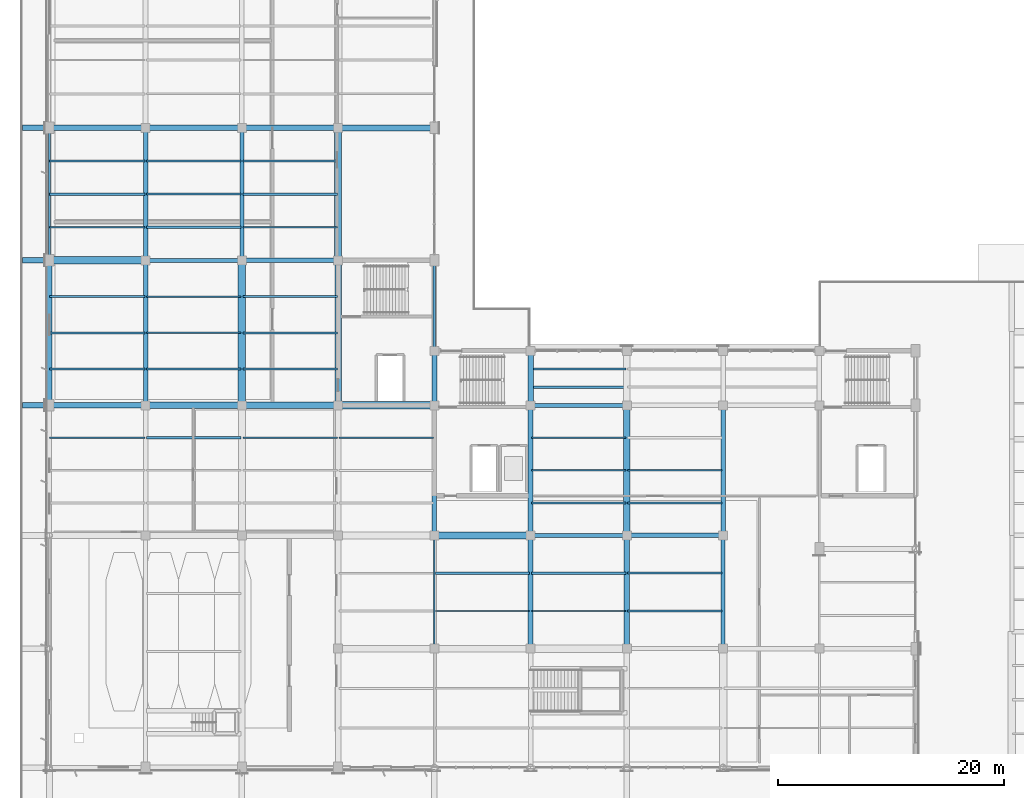
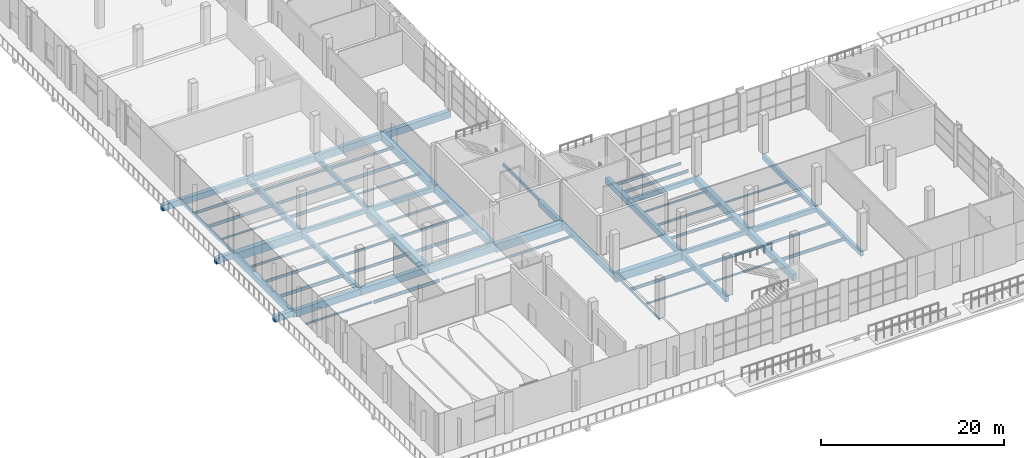
# One storey, part 11 of 90: 72 beams.
"""IFC4 building model written with IfcOpenShell, lengths in metres."""

import ifcopenshell
import ifcopenshell.guid

model = None  # the IFC model being written
_history = None  # IfcOwnerHistory: only IFC2X3 demands one
_inside = {}  # id of a spatial element -> (the spatial element, [elements in it])
_under = {}  # id of a project, library or spatial element -> (it, [spatial elements below it])
_declared = {}  # id of a project -> (the project, [libraries it declares])
_typed = {}  # id of a type object -> (the type object, [elements of that type])
_made_of = {}  # id of a material, layer set ... -> (it, [elements and type objects made of it])


def new_model(schema):
    """Start an empty IFC model of exactly this schema.

    Asked for "IFC4X3", IfcOpenShell would pick the latest addendum, in which some entities
    have other attributes; the version numbers below select the first issue.
    IFC2X3 requires an IfcOwnerHistory on every rooted entity: one is made here for all.
    """
    global model, _history
    if schema == "IFC4X3":
        model = ifcopenshell.file(schema_version=(4, 3, 0, 0))
    else:
        model = ifcopenshell.file(schema=schema)
    _inside.clear()
    _under.clear()
    _declared.clear()
    _typed.clear()
    _made_of.clear()
    _history = None
    if model.schema == "IFC2X3":
        org = make("IfcOrganization", Name="unknown")
        user = make(
            "IfcPersonAndOrganization",
            ThePerson=make("IfcPerson", FamilyName="unknown"),
            TheOrganization=org,
        )
        app = make(
            "IfcApplication",
            ApplicationDeveloper=org,
            Version="unknown",
            ApplicationFullName="unknown",
            ApplicationIdentifier="unknown",
        )
        _history = make(
            "IfcOwnerHistory",
            OwningUser=user,
            OwningApplication=app,
            ChangeAction="ADDED",
            CreationDate=0,
        )
    return model


def make(cls, **values):
    """One entity of the class cls with the attributes given. An attribute that is None is left unset."""
    return model.create_entity(
        cls, **{name: value for name, value in values.items() if value is not None}
    )


def rooted(cls, **values):
    """An entity with a GlobalId (a new one), such as an element, a storey or a relation."""
    return make(cls, GlobalId=ifcopenshell.guid.new(), OwnerHistory=_history, **values)


def si_unit(unit_type, name, prefix=None):
    """IfcSIUnit, for example si_unit("LENGTHUNIT", "METRE", prefix="MILLI")."""
    return make("IfcSIUnit", UnitType=unit_type, Prefix=prefix, Name=name)


def assignment(units):
    """IfcUnitAssignment: the units of a project."""
    return None if units is None else make("IfcUnitAssignment", Units=units)


def point(xyz):
    """IfcCartesianPoint."""
    return None if xyz is None else make("IfcCartesianPoint", Coordinates=xyz)


def direction(xyz):
    """IfcDirection."""
    return None if xyz is None else make("IfcDirection", DirectionRatios=xyz)


def frame(location, z_axis=None, x_axis=None):
    """IfcAxis2Placement3D, a coordinate frame: its origin and axes. An axis left out is left unset."""
    return make(
        "IfcAxis2Placement3D",
        Location=point(location),
        Axis=direction(z_axis),
        RefDirection=direction(x_axis),
    )


def frame_2d(location, x_axis=None):
    """IfcAxis2Placement2D, a coordinate frame in the plane: its origin and x axis."""
    return make(
        "IfcAxis2Placement2D", Location=point(location), RefDirection=direction(x_axis)
    )


def origin():
    """The frame at (0, 0, 0) with its axes left unset."""
    return frame((0.0, 0.0, 0.0))


def origin_2d():
    """The frame at (0, 0) in the plane with its x axis left unset."""
    return frame_2d((0.0, 0.0))


def place(relative_to, where):
    """IfcLocalPlacement: puts the frame where relative to a parent placement (None: the world)."""
    return make(
        "IfcLocalPlacement", PlacementRelTo=relative_to, RelativePlacement=where
    )


def context(
    kind, dimensions, precision=None, world=None, true_north=None, identifier=None
):
    """IfcGeometricRepresentationContext, for example the 3D "Model" context."""
    return make(
        "IfcGeometricRepresentationContext",
        ContextIdentifier=identifier,
        ContextType=kind,
        CoordinateSpaceDimension=dimensions,
        Precision=precision,
        WorldCoordinateSystem=world,
        TrueNorth=true_north,
    )


def subcontext(parent, identifier, kind, view, scale=None):
    """IfcGeometricRepresentationSubContext, for example "Body" below "Model"."""
    return make(
        "IfcGeometricRepresentationSubContext",
        ContextIdentifier=identifier,
        ContextType=kind,
        ParentContext=parent,
        TargetScale=scale,
        TargetView=view,
    )


def project(units=None, contexts=None):
    """IfcProject with its units and contexts."""
    return rooted(
        "IfcProject",
        Name="project",
        RepresentationContexts=contexts,
        UnitsInContext=assignment(units),
    )


def spatial(cls, under=None, at=None, **own):
    """A site, building, storey or space (cls), placed at a placement, below another one or the project."""
    s = rooted(cls, ObjectPlacement=at, **own)
    if under is not None:
        _under.setdefault(under.id(), (under, []))[1].append(s)
    return s


def profile(cls, at=None, kind="AREA", **sizes):
    """A parametric profile (cls). Its sizes go by their IFC names, for example OverallWidth=200.0."""
    return make(cls, ProfileType=kind, Position=at, **sizes)


def rectangle(**sizes):
    """IfcRectangleProfileDef."""
    return profile("IfcRectangleProfileDef", **sizes)


def hollow_rectangle(**sizes):
    """IfcRectangleHollowProfileDef."""
    return profile("IfcRectangleHollowProfileDef", **sizes)


def i_section(**sizes):
    """IfcIShapeProfileDef."""
    return profile("IfcIShapeProfileDef", **sizes)


def extrude(swept, where, along, depth):
    """IfcExtrudedAreaSolid: the profile swept, set in the frame where, extruded along a direction by depth."""
    return make(
        "IfcExtrudedAreaSolid",
        SweptArea=swept,
        Position=where,
        ExtrudedDirection=direction(along),
        Depth=depth,
    )


def shape(context_of_items, identifier, shape_type, items):
    """IfcShapeRepresentation: the items that make up one representation, for example the "Body"."""
    return make(
        "IfcShapeRepresentation",
        ContextOfItems=context_of_items,
        RepresentationIdentifier=identifier,
        RepresentationType=shape_type,
        Items=items,
    )


def material(Name=None, Category=None):
    """IfcMaterial."""
    return make("IfcMaterial", Name=Name, Category=Category)


def material_profile(
    of_material, cross_section, Name=None, Category=None, Priority=None
):
    """IfcMaterialProfile: a cross section and its material."""
    return make(
        "IfcMaterialProfile",
        Name=Name,
        Material=of_material,
        Profile=cross_section,
        Priority=Priority,
        Category=Category,
    )


def profile_set(profiles, Name=None, composite=None):
    """IfcMaterialProfileSet."""
    return make(
        "IfcMaterialProfileSet",
        Name=Name,
        MaterialProfiles=profiles,
        CompositeProfile=composite,
    )


def made_of(thing, what):
    """Note that an element or type object is made of a material, layer set ...; save() writes the relation."""
    if what is not None:
        _made_of.setdefault(what.id(), (what, []))[1].append(thing)
    return thing


def type_object(cls, material=None, **own):
    """A type object (cls), such as IfcWallType, which elements share."""
    return made_of(rooted(cls, **own), material)


def element(
    cls,
    number,
    at=None,
    inside=None,
    cuts=None,
    type_object=None,
    material=None,
    context=None,
    identifier="Body",
    shape_type=None,
    held_by="IfcProductDefinitionShape",
    body=None,
    shapes=None,
    **own,
):
    """One element of the class cls, such as IfcWall. Its Tag is "e" and its number.

    at: its placement. inside: the storey or other place that contains it. cuts: it is an
    opening in that element (IfcRelVoidsElement). A single representation is given by context,
    identifier, shape_type and body (its items); several are given by shapes. held_by: the class
    of the entity that holds the representations. save() writes the other relations.
    """
    e = rooted(cls, Tag="e%d" % number, ObjectPlacement=at, **own)
    if body is not None:
        shapes = [shape(context, identifier, shape_type, body)]
    if shapes is not None:
        e.Representation = make(held_by, Representations=shapes)
    if inside is not None:
        _inside.setdefault(inside.id(), (inside, []))[1].append(e)
    if cuts is not None:
        rooted(
            "IfcRelVoidsElement", RelatingBuildingElement=cuts, RelatedOpeningElement=e
        )
    if type_object is not None:
        _typed.setdefault(type_object.id(), (type_object, []))[1].append(e)
    return made_of(e, material)


def aggregate(whole, parts):
    """IfcRelAggregates: a whole, such as a stair, and the parts it consists of."""
    return rooted("IfcRelAggregates", RelatingObject=whole, RelatedObjects=parts)


def save(model, path):
    """Write the relations noted so far, then the file.

    IfcRelAggregates (storeys below a building ...), IfcRelContainedInSpatialStructure (elements
    in a storey), IfcRelDefinesByType, IfcRelAssociatesMaterial and IfcRelDeclares: one each for
    every whole, place, type object, material and project.
    """
    for whole, parts in _under.values():
        aggregate(whole, parts)
    for where, things in _inside.values():
        rooted(
            "IfcRelContainedInSpatialStructure",
            RelatedElements=things,
            RelatingStructure=where,
        )
    for kind, things in _typed.values():
        rooted("IfcRelDefinesByType", RelatedObjects=things, RelatingType=kind)
    for what, things in _made_of.values():
        rooted("IfcRelAssociatesMaterial", RelatedObjects=things, RelatingMaterial=what)
    for by, libraries in _declared.values():
        rooted("IfcRelDeclares", RelatingContext=by, RelatedDefinitions=libraries)
    model.write(path)


model = new_model("IFC4")

# Units and contexts
model_context = context("Model", 3, precision=1e-05, world=origin(), true_north=direction((0.0, 1.0)))
body_context = subcontext(model_context, "Body", "Model", "MODEL_VIEW")
ifc_project = project(units=[si_unit("LENGTHUNIT", "METRE"), si_unit("AREAUNIT", "SQUARE_METRE"), si_unit("VOLUMEUNIT", "CUBIC_METRE"), si_unit("PLANEANGLEUNIT", "RADIAN"), si_unit("MASSUNIT", "GRAM", prefix="KILO")], contexts=[model_context])

# Site, building, storey
site_placement = place(None, origin())
site = spatial("IfcSite", under=ifc_project, at=site_placement, CompositionType="ELEMENT")
building_placement = place(site_placement, origin())
building = spatial("IfcBuilding", under=site, at=building_placement, Name="Solvikara Media Centre", CompositionType="ELEMENT")
storey_placement = place(building_placement, origin())
storey = spatial("IfcBuildingStorey", under=building, at=storey_placement, Name="L00", CompositionType="ELEMENT", Elevation=0.0)

# Beams
ifc_material_1 = material(Name="Concrete fc' 35 MPa (C35/45)", Category="concrete")
ifc_material_profile_1 = material_profile(ifc_material_1, rectangle(XDim=0.35009765625, YDim=0.60009765625, at=origin_2d()), Name="RC 350x600")
ifc_profile_set_1 = profile_set([ifc_material_profile_1], Name="Concrete fc' 35 MPa (C35/45)")
beam_type_1 = type_object("IfcBeamType", Name="BM-01", PredefinedType="BEAM", material=ifc_profile_set_1)
for number, where, z_axis, x_axis, name in (
    (1, (42.5, 20.5, -0.639892578125), (1.0, 0.0, 0.0), (0.0, 1.0, 0.0), "B-L00-X0037"),
    (2, (42.5, 32.0, -0.639892578125), (1.0, 0.0, 0.0), (0.0, 1.0, 0.0), "B-L00-X0049"),
    (3, (8.5, 44.800048828125, -0.639892578125), (1.0, 0.0, 0.0), (0.0, 1.0, 0.0), "B-L00-X0061"),
):
    element("IfcBeam", number, at=place(storey_placement, frame(where, z_axis=z_axis, x_axis=x_axis)), inside=storey, type_object=beam_type_1, Name=name, PredefinedType="BEAM", context=body_context, shape_type="SweptSolid", body=[
        extrude(rectangle(XDim=0.35009765625, YDim=0.60009765625, at=origin_2d()), origin(), (0.0, 0.0, 1.0), 8.5),
    ])
beam_1_placement = place(storey_placement, frame((17.0, 44.800048828125, -0.639892578125), z_axis=(0.0, 1.0, 0.0), x_axis=(-1.0, 0.0, 0.0)))
element("IfcBeam", 4, at=beam_1_placement, inside=storey, type_object=beam_type_1, Name="B-L00-Y0133", PredefinedType="BEAM", context=body_context, shape_type="SweptSolid", body=[
    extrude(rectangle(XDim=0.35009765625, YDim=0.60009765625, at=origin_2d()), origin(), (0.0, 0.0, 1.0), 11.699951171875),
])
beam_2_placement = place(storey_placement, frame((59.5, 10.5, -0.639892578125), z_axis=(0.0, 1.0, 0.0), x_axis=(-1.0, 0.0, 0.0)))
element("IfcBeam", 5, at=beam_2_placement, inside=storey, type_object=beam_type_1, Name="B-L00-Y0169", PredefinedType="BEAM", context=body_context, shape_type="SweptSolid", body=[
    extrude(rectangle(XDim=0.35009765625, YDim=0.60009765625, at=origin_2d()), origin(), (0.0, 0.0, 1.0), 10.0),
])
ifc_material_profile_2 = material_profile(ifc_material_1, rectangle(XDim=0.39990234375, YDim=0.64990234375, at=origin_2d()), Name="RC 400x650")
ifc_profile_set_2 = profile_set([ifc_material_profile_2], Name="Concrete fc' 35 MPa (C35/45)")
beam_type_2 = type_object("IfcBeamType", Name="BM-02", PredefinedType="BEAM", material=ifc_profile_set_2)
for number, where, z_axis, x_axis, name in (
    (6, (51.0, 20.5, -0.6650390625), (1.0, 0.0, 0.0), (0.0, 1.0, 0.0), "B-L00-X0038"),
    (7, (17.0, 44.800048828125, -0.6650390625), (1.0, 0.0, 0.0), (0.0, 1.0, 0.0), "B-L00-X0062"),
):
    element("IfcBeam", number, at=place(storey_placement, frame(where, z_axis=z_axis, x_axis=x_axis)), inside=storey, type_object=beam_type_2, Name=name, PredefinedType="BEAM", context=body_context, shape_type="SweptSolid", body=[
        extrude(rectangle(XDim=0.39990234375, YDim=0.64990234375, at=origin_2d()), origin(), (0.0, 0.0, 1.0), 8.5),
    ])
beam_3_placement = place(storey_placement, frame((59.5, 20.5, -0.6650390625), z_axis=(0.0, 1.0, 0.0), x_axis=(-1.0, 0.0, 0.0)))
element("IfcBeam", 8, at=beam_3_placement, inside=storey, type_object=beam_type_2, Name="B-L00-Y0170", PredefinedType="BEAM", context=body_context, shape_type="SweptSolid", body=[
    extrude(rectangle(XDim=0.39990234375, YDim=0.64990234375, at=origin_2d()), origin(), (0.0, 0.0, 1.0), 11.5),
])
ifc_material_profile_3 = material_profile(ifc_material_1, rectangle(XDim=0.39990234375, YDim=0.699951171875, at=origin_2d()), Name="RC 400x700")
ifc_profile_set_3 = profile_set([ifc_material_profile_3], Name="Concrete fc' 35 MPa (C35/45)")
beam_type_3 = type_object("IfcBeamType", Name="BM-03", PredefinedType="BEAM", material=ifc_profile_set_3)
beam_4_placement = place(storey_placement, frame((8.5, 32.0, -0.68994140625), z_axis=(0.0, 1.0, 0.0), x_axis=(-1.0, 0.0, 0.0)))
element("IfcBeam", 9, at=beam_4_placement, inside=storey, type_object=beam_type_3, Name="B-L00-Y0123", PredefinedType="BEAM", context=body_context, shape_type="SweptSolid", body=[
    extrude(rectangle(XDim=0.39990234375, YDim=0.699951171875, at=origin_2d()), origin(), (0.0, 0.0, 1.0), 12.800048828125),
])
ifc_material_profile_4 = material_profile(ifc_material_1, rectangle(XDim=0.39990234375, YDim=0.75, at=origin_2d()), Name="RC 400x750")
ifc_profile_set_4 = profile_set([ifc_material_profile_4], Name="Concrete fc' 35 MPa (C35/45)")
beam_type_4 = type_object("IfcBeamType", Name="BM-04", PredefinedType="BEAM", material=ifc_profile_set_4)
beam_5_placement = place(storey_placement, frame((8.5, 44.800048828125, -0.715087890625), z_axis=(0.0, 1.0, 0.0), x_axis=(-1.0, 0.0, 0.0)))
element("IfcBeam", 10, at=beam_5_placement, inside=storey, type_object=beam_type_4, Name="B-L00-Y0124", PredefinedType="BEAM", context=body_context, shape_type="SweptSolid", body=[
    extrude(rectangle(XDim=0.39990234375, YDim=0.75, at=origin_2d()), origin(), (0.0, 0.0, 1.0), 11.699951171875),
])
ifc_material_profile_5 = material_profile(ifc_material_1, rectangle(XDim=0.449951171875, YDim=0.75, at=origin_2d()), Name="RC 450x750")
ifc_profile_set_5 = profile_set([ifc_material_profile_5], Name="Concrete fc' 35 MPa (C35/45)")
beam_type_5 = type_object("IfcBeamType", Name="BM-05", PredefinedType="BEAM", material=ifc_profile_set_5)
beam_6_placement = place(storey_placement, frame((42.5, 10.5, -0.715087890625), z_axis=(0.0, 1.0, 0.0), x_axis=(-1.0, 0.0, 0.0)))
element("IfcBeam", 11, at=beam_6_placement, inside=storey, type_object=beam_type_5, Name="B-L00-Y0161", PredefinedType="BEAM", context=body_context, shape_type="SweptSolid", body=[
    extrude(rectangle(XDim=0.449951171875, YDim=0.75, at=origin_2d()), origin(), (0.0, 0.0, 1.0), 10.0),
])
ifc_material_profile_6 = material_profile(ifc_material_1, rectangle(XDim=0.449951171875, YDim=0.800048828125, at=origin_2d()), Name="RC 450x800")
ifc_profile_set_6 = profile_set([ifc_material_profile_6], Name="Concrete fc' 35 MPa (C35/45)")
beam_type_6 = type_object("IfcBeamType", Name="BM-06", PredefinedType="BEAM", material=ifc_profile_set_6)
beam_7_placement = place(storey_placement, frame((42.5, 20.5, -0.739990234375), z_axis=(0.0, 1.0, 0.0), x_axis=(-1.0, 0.0, 0.0)))
element("IfcBeam", 12, at=beam_7_placement, inside=storey, type_object=beam_type_6, Name="B-L00-Y0162", PredefinedType="BEAM", context=body_context, shape_type="SweptSolid", body=[
    extrude(rectangle(XDim=0.449951171875, YDim=0.800048828125, at=origin_2d()), origin(), (0.0, 0.0, 1.0), 11.5),
])
ifc_material_profile_7 = material_profile(ifc_material_1, rectangle(XDim=0.5, YDim=0.800048828125, at=origin_2d()), Name="RC 500x800")
ifc_profile_set_7 = profile_set([ifc_material_profile_7], Name="Concrete fc' 35 MPa (C35/45)")
beam_type_7 = type_object("IfcBeamType", Name="BM-07", PredefinedType="BEAM", material=ifc_profile_set_7)
beam_8_placement = place(storey_placement, frame((0.0, 56.5, -0.739990234375), z_axis=(1.0, 0.0, 0.0), x_axis=(0.0, 1.0, 0.0)))
element("IfcBeam", 13, at=beam_8_placement, inside=storey, type_object=beam_type_7, Name="B-L00-X0067", PredefinedType="BEAM", context=body_context, shape_type="SweptSolid", body=[
    extrude(rectangle(XDim=0.5, YDim=0.800048828125, at=origin_2d()), origin(), (0.0, 0.0, 1.0), 8.5),
])
beam_9_placement = place(storey_placement, frame((42.5, 32.0, -0.739990234375), z_axis=(0.0, 1.0, 0.0), x_axis=(-1.0, 0.0, 0.0)))
element("IfcBeam", 14, at=beam_9_placement, inside=storey, type_object=beam_type_7, Name="B-L00-Y0163", PredefinedType="BEAM", context=body_context, shape_type="SweptSolid", body=[
    extrude(rectangle(XDim=0.5, YDim=0.800048828125, at=origin_2d()), origin(), (0.0, 0.0, 1.0), 4.800048828125),
])
for number, where, z_axis, x_axis, name in (
    (15, (-2.3798828125, 32.0, -0.64990234375), (1.0, 0.0, 0.0), (0.0, 1.0, 0.0), "B-L00-PRM-004"),
    (16, (-2.3798828125, 44.800048828125, -0.64990234375), (1.0, 0.0, 0.0), (0.0, 1.0, 0.0), "B-L00-PRM-005"),
    (17, (-2.3798828125, 56.5, -0.64990234375), (1.0, 0.0, 0.0), (0.0, 1.0, 0.0), "B-L00-PRM-006"),
):
    element("IfcBeam", number, at=place(storey_placement, frame(where, z_axis=z_axis, x_axis=x_axis)), inside=storey, type_object=beam_type_7, Name=name, PredefinedType="BEAM", context=body_context, shape_type="SweptSolid", body=[
        extrude(rectangle(XDim=0.5, YDim=0.800048828125, at=origin_2d()), origin(), (0.0, 0.0, 1.0), 2.3798828125),
    ])
ifc_material_profile_8 = material_profile(ifc_material_1, rectangle(XDim=0.5, YDim=0.85009765625, at=origin_2d()), Name="RC 500x850")
ifc_profile_set_8 = profile_set([ifc_material_profile_8], Name="Concrete fc' 35 MPa (C35/45)")
beam_type_8 = type_object("IfcBeamType", Name="BM-08", PredefinedType="BEAM", material=ifc_profile_set_8)
beam_10_placement = place(storey_placement, frame((8.5, 56.5, -0.764892578125), z_axis=(1.0, 0.0, 0.0), x_axis=(0.0, 1.0, 0.0)))
element("IfcBeam", 18, at=beam_10_placement, inside=storey, type_object=beam_type_8, Name="B-L00-X0068", PredefinedType="BEAM", context=body_context, shape_type="SweptSolid", body=[
    extrude(rectangle(XDim=0.5, YDim=0.85009765625, at=origin_2d()), origin(), (0.0, 0.0, 1.0), 8.5),
])
ifc_material_2 = material(Name="Concrete fc' 45 MPa (C45/55)", Category="concrete")
ifc_material_profile_9 = material_profile(ifc_material_2, rectangle(XDim=0.5, YDim=0.89990234375, at=origin_2d()), Name="RC 500x900")
ifc_profile_set_9 = profile_set([ifc_material_profile_9], Name="Concrete fc' 45 MPa (C45/55)")
beam_type_9 = type_object("IfcBeamType", Name="BM-09", PredefinedType="BEAM", material=ifc_profile_set_9)
for number, where, z_axis, x_axis, name in (
    (19, (0.0, 32.0, -0.7900390625), (1.0, 0.0, 0.0), (0.0, 1.0, 0.0), "B-L00-X0045"),
    (20, (17.0, 56.5, -0.7900390625), (1.0, 0.0, 0.0), (0.0, 1.0, 0.0), "B-L00-X0069"),
):
    element("IfcBeam", number, at=place(storey_placement, frame(where, z_axis=z_axis, x_axis=x_axis)), inside=storey, type_object=beam_type_9, Name=name, PredefinedType="BEAM", context=body_context, shape_type="SweptSolid", body=[
        extrude(rectangle(XDim=0.5, YDim=0.89990234375, at=origin_2d()), origin(), (0.0, 0.0, 1.0), 8.5),
    ])
beam_11_placement = place(storey_placement, frame((51.0, 10.5, -0.7900390625), z_axis=(0.0, 1.0, 0.0), x_axis=(-1.0, 0.0, 0.0)))
element("IfcBeam", 21, at=beam_11_placement, inside=storey, type_object=beam_type_9, Name="B-L00-Y0165", PredefinedType="BEAM", context=body_context, shape_type="SweptSolid", body=[
    extrude(rectangle(XDim=0.5, YDim=0.89990234375, at=origin_2d()), origin(), (0.0, 0.0, 1.0), 10.0),
])
ifc_material_profile_10 = material_profile(ifc_material_2, rectangle(XDim=0.550048828125, YDim=0.89990234375, at=origin_2d()), Name="RC 550x900")
ifc_profile_set_10 = profile_set([ifc_material_profile_10], Name="Concrete fc' 45 MPa (C45/55)")
beam_type_10 = type_object("IfcBeamType", Name="BM-10", PredefinedType="BEAM", material=ifc_profile_set_10)
for number, where, z_axis, x_axis, name in (
    (22, (8.5, 32.0, -0.7900390625), (1.0, 0.0, 0.0), (0.0, 1.0, 0.0), "B-L00-X0046"),
    (23, (25.5, 56.5, -0.7900390625), (1.0, 0.0, 0.0), (0.0, 1.0, 0.0), "B-L00-X0070"),
):
    element("IfcBeam", number, at=place(storey_placement, frame(where, z_axis=z_axis, x_axis=x_axis)), inside=storey, type_object=beam_type_10, Name=name, PredefinedType="BEAM", context=body_context, shape_type="SweptSolid", body=[
        extrude(rectangle(XDim=0.550048828125, YDim=0.89990234375, at=origin_2d()), origin(), (0.0, 0.0, 1.0), 8.5),
    ])
beam_12_placement = place(storey_placement, frame((25.5, 32.0, -0.7900390625), z_axis=(0.0, 1.0, 0.0), x_axis=(-1.0, 0.0, 0.0)))
element("IfcBeam", 24, at=beam_12_placement, inside=storey, type_object=beam_type_10, Name="B-L00-Y0142", PredefinedType="BEAM", context=body_context, shape_type="SweptSolid", body=[
    extrude(rectangle(XDim=0.550048828125, YDim=0.89990234375, at=origin_2d()), origin(), (0.0, 0.0, 1.0), 12.800048828125),
])
beam_13_placement = place(storey_placement, frame((51.0, 20.5, -0.7900390625), z_axis=(0.0, 1.0, 0.0), x_axis=(-1.0, 0.0, 0.0)))
element("IfcBeam", 25, at=beam_13_placement, inside=storey, type_object=beam_type_10, Name="B-L00-Y0166", PredefinedType="BEAM", context=body_context, shape_type="SweptSolid", body=[
    extrude(rectangle(XDim=0.550048828125, YDim=0.89990234375, at=origin_2d()), origin(), (0.0, 0.0, 1.0), 11.5),
])
ifc_material_profile_11 = material_profile(ifc_material_2, rectangle(XDim=0.60009765625, YDim=0.949951171875, at=origin_2d()), Name="RC 600x950")
ifc_profile_set_11 = profile_set([ifc_material_profile_11], Name="Concrete fc' 45 MPa (C45/55)")
beam_type_11 = type_object("IfcBeamType", Name="BM-11", PredefinedType="BEAM", material=ifc_profile_set_11)
beam_14_placement = place(storey_placement, frame((17.0, 32.0, -0.81494140625), z_axis=(1.0, 0.0, 0.0), x_axis=(0.0, 1.0, 0.0)))
element("IfcBeam", 26, at=beam_14_placement, inside=storey, type_object=beam_type_11, Name="B-L00-X0047", PredefinedType="BEAM", context=body_context, shape_type="SweptSolid", body=[
    extrude(rectangle(XDim=0.60009765625, YDim=0.949951171875, at=origin_2d()), origin(), (0.0, 0.0, 1.0), 8.5),
])
beam_15_placement = place(storey_placement, frame((25.5, 44.800048828125, -0.81494140625), z_axis=(0.0, 1.0, 0.0), x_axis=(-1.0, 0.0, 0.0)))
element("IfcBeam", 27, at=beam_15_placement, inside=storey, type_object=beam_type_11, Name="B-L00-Y0143", PredefinedType="BEAM", context=body_context, shape_type="SweptSolid", body=[
    extrude(rectangle(XDim=0.60009765625, YDim=0.949951171875, at=origin_2d()), origin(), (0.0, 0.0, 1.0), 11.699951171875),
])
ifc_material_profile_12 = material_profile(ifc_material_2, rectangle(XDim=0.64990234375, YDim=1.10009765625, at=origin_2d()), Name="RC 650x1100")
ifc_profile_set_12 = profile_set([ifc_material_profile_12], Name="Concrete fc' 45 MPa (C45/55)")
beam_type_12 = type_object("IfcBeamType", Name="BM-12", PredefinedType="BEAM", material=ifc_profile_set_12)
for number, where, z_axis, x_axis, name in (
    (28, (34.0, 20.5, -0.889892578125), (1.0, 0.0, 0.0), (0.0, 1.0, 0.0), "B-L00-X0036"),
    (29, (25.5, 32.0, -0.889892578125), (1.0, 0.0, 0.0), (0.0, 1.0, 0.0), "B-L00-X0048"),
    (30, (0.0, 44.800048828125, -0.889892578125), (1.0, 0.0, 0.0), (0.0, 1.0, 0.0), "B-L00-X0060"),
):
    element("IfcBeam", number, at=place(storey_placement, frame(where, z_axis=z_axis, x_axis=x_axis)), inside=storey, type_object=beam_type_12, Name=name, PredefinedType="BEAM", context=body_context, shape_type="SweptSolid", body=[
        extrude(rectangle(XDim=0.64990234375, YDim=1.10009765625, at=origin_2d()), origin(), (0.0, 0.0, 1.0), 8.5),
    ])
beam_16_placement = place(storey_placement, frame((17.0, 32.0, -0.889892578125), z_axis=(0.0, 1.0, 0.0), x_axis=(-1.0, 0.0, 0.0)))
element("IfcBeam", 31, at=beam_16_placement, inside=storey, type_object=beam_type_12, Name="B-L00-Y0132", PredefinedType="BEAM", context=body_context, shape_type="SweptSolid", body=[
    extrude(rectangle(XDim=0.64990234375, YDim=1.10009765625, at=origin_2d()), origin(), (0.0, 0.0, 1.0), 12.800048828125),
])
ifc_material_profile_13 = material_profile(ifc_material_1, rectangle(XDim=0.39990234375, YDim=0.699951171875, at=origin_2d()), Name="RC 400x700")
ifc_profile_set_13 = profile_set([ifc_material_profile_13], Name="Concrete fc' 35 MPa (C35/45)")
beam_type_13 = type_object("IfcBeamType", Name="BM-13", PredefinedType="SPANDREL", material=ifc_profile_set_13)
beam_17_placement = place(storey_placement, frame((34.0, 20.5, -0.68994140625), z_axis=(0.0, 1.0, 0.0), x_axis=(-1.0, 0.0, 0.0)))
element("IfcBeam", 32, at=beam_17_placement, inside=storey, type_object=beam_type_13, Name="B-L00-Y0151", PredefinedType="SPANDREL", context=body_context, shape_type="SweptSolid", body=[
    extrude(rectangle(XDim=0.39990234375, YDim=0.699951171875, at=origin_2d()), origin(), (0.0, 0.0, 1.0), 11.5),
])
ifc_material_profile_14 = material_profile(ifc_material_1, rectangle(XDim=0.449951171875, YDim=0.85009765625, at=origin_2d()), Name="RC 450x850")
ifc_profile_set_14 = profile_set([ifc_material_profile_14], Name="Concrete fc' 35 MPa (C35/45)")
beam_type_14 = type_object("IfcBeamType", Name="BM-14", PredefinedType="SPANDREL", material=ifc_profile_set_14)
beam_18_placement = place(storey_placement, frame((0.0, 32.0, -0.764892578125), z_axis=(0.0, 1.0, 0.0), x_axis=(-1.0, 0.0, 0.0)))
element("IfcBeam", 33, at=beam_18_placement, inside=storey, type_object=beam_type_14, Name="B-L00-Y0114", PredefinedType="SPANDREL", context=body_context, shape_type="SweptSolid", body=[
    extrude(rectangle(XDim=0.449951171875, YDim=0.85009765625, at=origin_2d()), origin(), (0.0, 0.0, 1.0), 12.800048828125),
])
beam_19_placement = place(storey_placement, frame((34.0, 32.0, -0.764892578125), z_axis=(0.0, 1.0, 0.0), x_axis=(-1.0, 0.0, 0.0)))
element("IfcBeam", 34, at=beam_19_placement, inside=storey, type_object=beam_type_14, Name="B-L00-Y0152", PredefinedType="SPANDREL", context=body_context, shape_type="SweptSolid", body=[
    extrude(rectangle(XDim=0.449951171875, YDim=0.85009765625, at=origin_2d()), origin(), (0.0, 0.0, 1.0), 4.800048828125),
])
ifc_material_3 = material(Name="Steel S355JR", Category="steel")
ifc_material_profile_15 = material_profile(ifc_material_3, i_section(OverallWidth=0.199951171875, OverallDepth=0.39990234375, WebThickness=0.008056640625, FlangeThickness=0.012939453125, at=origin_2d()), Name="WF 400x200x8x13")
ifc_profile_set_15 = profile_set([ifc_material_profile_15], Name="Steel S355JR")
beam_type_15 = type_object("IfcBeamType", Name="BM-21", PredefinedType="JOIST", material=ifc_profile_set_15)
beam_20_placement = place(storey_placement, frame((0.0, 35.199951171875, -0.5419921875), z_axis=(1.0, 0.0, 0.0), x_axis=(0.0, 1.0, 0.0)))
element("IfcBeam", 35, at=beam_20_placement, inside=storey, type_object=beam_type_15, Name="J-L00-0241", PredefinedType="JOIST", context=body_context, shape_type="SweptSolid", body=[
    extrude(i_section(OverallWidth=0.199951171875, OverallDepth=0.39990234375, WebThickness=0.008056640625, FlangeThickness=0.012939453125, at=origin_2d()), origin(), (0.0, 0.0, 1.0), 8.422119140625),
])
for number, where, z_axis, x_axis, name in (
    (36, (8.577880859375, 29.125, -0.5419921875), (1.0, 0.0, 0.0), (0.0, 1.0, 0.0), "J-L00-0265"),
    (37, (17.077880859375, 35.199951171875, -0.5419921875), (1.0, 0.0, 0.0), (0.0, 1.0, 0.0), "J-L00-0289"),
    (38, (42.577880859375, 17.1669921875, -0.5419921875), (1.0, 0.0, 0.0), (0.0, 1.0, 0.0), "J-L00-0337"),
    (39, (51.077880859375, 13.8330078125, -0.5419921875), (1.0, 0.0, 0.0), (0.0, 1.0, 0.0), "J-L00-0345"),
):
    element("IfcBeam", number, at=place(storey_placement, frame(where, z_axis=z_axis, x_axis=x_axis)), inside=storey, type_object=beam_type_15, Name=name, PredefinedType="JOIST", context=body_context, shape_type="SweptSolid", body=[
        extrude(i_section(OverallWidth=0.199951171875, OverallDepth=0.39990234375, WebThickness=0.008056640625, FlangeThickness=0.012939453125, at=origin_2d()), origin(), (0.0, 0.0, 1.0), 8.34423828125),
    ])
ifc_material_profile_16 = material_profile(ifc_material_3, i_section(OverallWidth=0.175048828125, OverallDepth=0.35009765625, WebThickness=0.007080078125, FlangeThickness=0.010986328125, at=origin_2d()), Name="WF 350x175x7x11")
ifc_profile_set_16 = profile_set([ifc_material_profile_16], Name="Steel S355JR")
beam_type_16 = type_object("IfcBeamType", Name="BM-22", PredefinedType="JOIST", material=ifc_profile_set_16)
beam_21_placement = place(storey_placement, frame((0.0, 38.39990234375, -0.51708984375), z_axis=(1.0, 0.0, 0.0), x_axis=(0.0, 1.0, 0.0)))
element("IfcBeam", 40, at=beam_21_placement, inside=storey, type_object=beam_type_16, Name="J-L00-0242", PredefinedType="JOIST", context=body_context, shape_type="SweptSolid", body=[
    extrude(i_section(OverallWidth=0.175048828125, OverallDepth=0.35009765625, WebThickness=0.007080078125, FlangeThickness=0.010986328125, at=origin_2d()), origin(), (0.0, 0.0, 1.0), 8.422119140625),
])
for number, where, z_axis, x_axis, name in (
    (41, (8.577880859375, 35.199951171875, -0.51708984375), (1.0, 0.0, 0.0), (0.0, 1.0, 0.0), "J-L00-0266"),
    (42, (17.077880859375, 38.39990234375, -0.51708984375), (1.0, 0.0, 0.0), (0.0, 1.0, 0.0), "J-L00-0290"),
    (43, (42.577880859375, 23.375, -0.51708984375), (1.0, 0.0, 0.0), (0.0, 1.0, 0.0), "J-L00-0338"),
    (44, (51.077880859375, 17.1669921875, -0.51708984375), (1.0, 0.0, 0.0), (0.0, 1.0, 0.0), "J-L00-0346"),
):
    element("IfcBeam", number, at=place(storey_placement, frame(where, z_axis=z_axis, x_axis=x_axis)), inside=storey, type_object=beam_type_16, Name=name, PredefinedType="JOIST", context=body_context, shape_type="SweptSolid", body=[
        extrude(i_section(OverallWidth=0.175048828125, OverallDepth=0.35009765625, WebThickness=0.007080078125, FlangeThickness=0.010986328125, at=origin_2d()), origin(), (0.0, 0.0, 1.0), 8.34423828125),
    ])
ifc_material_profile_17 = material_profile(ifc_material_3, i_section(OverallWidth=0.14990234375, OverallDepth=0.300048828125, WebThickness=0.006591796875, FlangeThickness=0.009033203125, at=origin_2d()), Name="WF 300x150x6.5x9")
ifc_profile_set_17 = profile_set([ifc_material_profile_17], Name="Steel S355JR")
beam_type_17 = type_object("IfcBeamType", Name="BM-23", PredefinedType="JOIST", material=ifc_profile_set_17)
beam_22_placement = place(storey_placement, frame((0.0, 41.60009765625, -0.491943359375), z_axis=(1.0, 0.0, 0.0), x_axis=(0.0, 1.0, 0.0)))
element("IfcBeam", 45, at=beam_22_placement, inside=storey, type_object=beam_type_17, Name="J-L00-0243", PredefinedType="JOIST", context=body_context, shape_type="SweptSolid", body=[
    extrude(i_section(OverallWidth=0.14990234375, OverallDepth=0.300048828125, WebThickness=0.006591796875, FlangeThickness=0.009033203125, at=origin_2d()), origin(), (0.0, 0.0, 1.0), 8.422119140625),
])
for number, where, z_axis, x_axis, name in (
    (46, (8.577880859375, 38.39990234375, -0.491943359375), (1.0, 0.0, 0.0), (0.0, 1.0, 0.0), "J-L00-0267"),
    (47, (17.077880859375, 41.60009765625, -0.491943359375), (1.0, 0.0, 0.0), (0.0, 1.0, 0.0), "J-L00-0291"),
    (48, (25.577880859375, 29.125, -0.491943359375), (1.0, 0.0, 0.0), (0.0, 1.0, 0.0), "J-L00-0315"),
    (49, (42.577880859375, 26.25, -0.491943359375), (1.0, 0.0, 0.0), (0.0, 1.0, 0.0), "J-L00-0339"),
    (50, (51.077880859375, 23.375, -0.491943359375), (1.0, 0.0, 0.0), (0.0, 1.0, 0.0), "J-L00-0347"),
):
    element("IfcBeam", number, at=place(storey_placement, frame(where, z_axis=z_axis, x_axis=x_axis)), inside=storey, type_object=beam_type_17, Name=name, PredefinedType="JOIST", context=body_context, shape_type="SweptSolid", body=[
        extrude(i_section(OverallWidth=0.14990234375, OverallDepth=0.300048828125, WebThickness=0.006591796875, FlangeThickness=0.009033203125, at=origin_2d()), origin(), (0.0, 0.0, 1.0), 8.34423828125),
    ])
ifc_material_profile_18 = material_profile(ifc_material_3, i_section(OverallWidth=0.125, OverallDepth=0.25, WebThickness=0.006103515625, FlangeThickness=0.009033203125, at=origin_2d()), Name="WF 250x125x6x9")
ifc_profile_set_18 = profile_set([ifc_material_profile_18], Name="Steel S355JR")
beam_type_18 = type_object("IfcBeamType", Name="BM-24", PredefinedType="JOIST", material=ifc_profile_set_18)
beam_23_placement = place(storey_placement, frame((0.0, 47.72509765625, -0.467041015625), z_axis=(1.0, 0.0, 0.0), x_axis=(0.0, 1.0, 0.0)))
element("IfcBeam", 51, at=beam_23_placement, inside=storey, type_object=beam_type_18, Name="J-L00-0244", PredefinedType="JOIST", context=body_context, shape_type="SweptSolid", body=[
    extrude(i_section(OverallWidth=0.125, OverallDepth=0.25, WebThickness=0.006103515625, FlangeThickness=0.009033203125, at=origin_2d()), origin(), (0.0, 0.0, 1.0), 8.422119140625),
])
for number, where, z_axis, x_axis, name in (
    (52, (8.577880859375, 41.60009765625, -0.467041015625), (1.0, 0.0, 0.0), (0.0, 1.0, 0.0), "J-L00-0268"),
    (53, (17.077880859375, 47.72509765625, -0.467041015625), (1.0, 0.0, 0.0), (0.0, 1.0, 0.0), "J-L00-0292"),
    (54, (34.077880859375, 13.8330078125, -0.467041015625), (1.0, 0.0, 0.0), (0.0, 1.0, 0.0), "J-L00-0332"),
    (55, (42.577880859375, 29.125, -0.467041015625), (1.0, 0.0, 0.0), (0.0, 1.0, 0.0), "J-L00-0340"),
    (56, (51.077880859375, 26.25, -0.467041015625), (1.0, 0.0, 0.0), (0.0, 1.0, 0.0), "J-L00-0348"),
):
    element("IfcBeam", number, at=place(storey_placement, frame(where, z_axis=z_axis, x_axis=x_axis)), inside=storey, type_object=beam_type_18, Name=name, PredefinedType="JOIST", context=body_context, shape_type="SweptSolid", body=[
        extrude(i_section(OverallWidth=0.125, OverallDepth=0.25, WebThickness=0.006103515625, FlangeThickness=0.009033203125, at=origin_2d()), origin(), (0.0, 0.0, 1.0), 8.34423828125),
    ])
ifc_material_profile_19 = material_profile(ifc_material_3, hollow_rectangle(XDim=0.199951171875, YDim=0.39990234375, WallThickness=0.011962890625, at=origin_2d()), Name="RHS 400x200x12")
ifc_profile_set_19 = profile_set([ifc_material_profile_19], Name="Steel S355JR")
beam_type_19 = type_object("IfcBeamType", Name="BM-33", PredefinedType="SPANDREL", material=ifc_profile_set_19)
beam_24_placement = place(storey_placement, frame((0.0, 44.800048828125, -0.5419921875), z_axis=(0.0, 1.0, 0.0), x_axis=(-1.0, 0.0, 0.0)))
element("IfcBeam", 57, at=beam_24_placement, inside=storey, type_object=beam_type_19, Name="B-L00-Y0115", PredefinedType="SPANDREL", context=body_context, shape_type="SweptSolid", body=[
    extrude(hollow_rectangle(XDim=0.199951171875, YDim=0.39990234375, WallThickness=0.011962890625, at=origin_2d()), origin(), (0.0, 0.0, 1.0), 11.699951171875),
])
beam_25_placement = place(storey_placement, frame((34.0, 36.800048828125, -0.5419921875), z_axis=(0.0, 1.0, 0.0), x_axis=(-1.0, 0.0, 0.0)))
element("IfcBeam", 58, at=beam_25_placement, inside=storey, type_object=beam_type_19, Name="B-L00-Y0153", PredefinedType="SPANDREL", context=body_context, shape_type="SweptSolid", body=[
    extrude(hollow_rectangle(XDim=0.199951171875, YDim=0.39990234375, WallThickness=0.011962890625, at=origin_2d()), origin(), (0.0, 0.0, 1.0), 8.0),
])
ifc_material_profile_20 = material_profile(ifc_material_3, hollow_rectangle(XDim=0.14990234375, YDim=0.25, WallThickness=0.008056640625, at=origin_2d()), Name="RHS 250x150x8")
ifc_profile_set_20 = profile_set([ifc_material_profile_20], Name="Steel S355JR")
beam_type_20 = type_object("IfcBeamType", Name="BM-36", PredefinedType="JOIST", material=ifc_profile_set_20)
beam_26_placement = place(storey_placement, frame((34.0, 10.5, -0.467041015625), z_axis=(0.0, 1.0, 0.0), x_axis=(-1.0, 0.0, 0.0)))
element("IfcBeam", 59, at=beam_26_placement, inside=storey, type_object=beam_type_20, Name="B-L00-Y0150", PredefinedType="JOIST", context=body_context, shape_type="SweptSolid", body=[
    extrude(hollow_rectangle(XDim=0.14990234375, YDim=0.25, WallThickness=0.008056640625, at=origin_2d()), origin(), (0.0, 0.0, 1.0), 10.0),
])
ifc_material_profile_21 = material_profile(ifc_material_3, i_section(OverallWidth=0.198974609375, OverallDepth=0.39599609375, WebThickness=0.007080078125, FlangeThickness=0.010986328125, at=origin_2d()), Name="WF 396x199x7x11")
ifc_profile_set_21 = profile_set([ifc_material_profile_21], Name="Steel S355JR")
beam_type_21 = type_object("IfcBeamType", Name="BM-37", PredefinedType="JOIST", material=ifc_profile_set_21)
beam_27_placement = place(storey_placement, frame((0.0, 50.64990234375, -0.5400390625), z_axis=(1.0, 0.0, 0.0), x_axis=(0.0, 1.0, 0.0)))
element("IfcBeam", 60, at=beam_27_placement, inside=storey, type_object=beam_type_21, Name="J-L00-0245", PredefinedType="JOIST", context=body_context, shape_type="SweptSolid", body=[
    extrude(i_section(OverallWidth=0.198974609375, OverallDepth=0.39599609375, WebThickness=0.007080078125, FlangeThickness=0.010986328125, at=origin_2d()), origin(), (0.0, 0.0, 1.0), 8.422119140625),
])
for number, where, z_axis, x_axis, name in (
    (61, (8.577880859375, 47.72509765625, -0.5400390625), (1.0, 0.0, 0.0), (0.0, 1.0, 0.0), "J-L00-0269"),
    (62, (17.077880859375, 50.64990234375, -0.5400390625), (1.0, 0.0, 0.0), (0.0, 1.0, 0.0), "J-L00-0293"),
    (63, (34.077880859375, 17.1669921875, -0.5400390625), (1.0, 0.0, 0.0), (0.0, 1.0, 0.0), "J-L00-0333"),
    (64, (42.577880859375, 33.60009765625, -0.5400390625), (1.0, 0.0, 0.0), (0.0, 1.0, 0.0), "J-L00-0341"),
):
    element("IfcBeam", number, at=place(storey_placement, frame(where, z_axis=z_axis, x_axis=x_axis)), inside=storey, type_object=beam_type_21, Name=name, PredefinedType="JOIST", context=body_context, shape_type="SweptSolid", body=[
        extrude(i_section(OverallWidth=0.198974609375, OverallDepth=0.39599609375, WebThickness=0.007080078125, FlangeThickness=0.010986328125, at=origin_2d()), origin(), (0.0, 0.0, 1.0), 8.34423828125),
    ])
ifc_material_profile_22 = material_profile(ifc_material_3, i_section(OverallWidth=0.174072265625, OverallDepth=0.345947265625, WebThickness=0.006103515625, FlangeThickness=0.009033203125, at=origin_2d()), Name="WF 346x174x6x9")
ifc_profile_set_22 = profile_set([ifc_material_profile_22], Name="Steel S355JR")
beam_type_22 = type_object("IfcBeamType", Name="BM-38", PredefinedType="JOIST", material=ifc_profile_set_22)
beam_28_placement = place(storey_placement, frame((0.0, 53.574951171875, -0.514892578125), z_axis=(1.0, 0.0, 0.0), x_axis=(0.0, 1.0, 0.0)))
element("IfcBeam", 65, at=beam_28_placement, inside=storey, type_object=beam_type_22, Name="J-L00-0246", PredefinedType="JOIST", context=body_context, shape_type="SweptSolid", body=[
    extrude(i_section(OverallWidth=0.174072265625, OverallDepth=0.345947265625, WebThickness=0.006103515625, FlangeThickness=0.009033203125, at=origin_2d()), origin(), (0.0, 0.0, 1.0), 8.422119140625),
])
for number, where, z_axis, x_axis, name in (
    (66, (8.577880859375, 50.64990234375, -0.514892578125), (1.0, 0.0, 0.0), (0.0, 1.0, 0.0), "J-L00-0270"),
    (67, (17.077880859375, 53.574951171875, -0.514892578125), (1.0, 0.0, 0.0), (0.0, 1.0, 0.0), "J-L00-0294"),
    (68, (42.577880859375, 35.199951171875, -0.514892578125), (1.0, 0.0, 0.0), (0.0, 1.0, 0.0), "J-L00-0342"),
):
    element("IfcBeam", number, at=place(storey_placement, frame(where, z_axis=z_axis, x_axis=x_axis)), inside=storey, type_object=beam_type_22, Name=name, PredefinedType="JOIST", context=body_context, shape_type="SweptSolid", body=[
        extrude(i_section(OverallWidth=0.174072265625, OverallDepth=0.345947265625, WebThickness=0.006103515625, FlangeThickness=0.009033203125, at=origin_2d()), origin(), (0.0, 0.0, 1.0), 8.34423828125),
    ])
ifc_material_profile_23 = material_profile(ifc_material_3, i_section(OverallWidth=0.14892578125, OverallDepth=0.298095703125, WebThickness=0.005615234375, FlangeThickness=0.008056640625, at=origin_2d()), Name="WF 298x149x5.5x8")
ifc_profile_set_23 = profile_set([ifc_material_profile_23], Name="Steel S355JR")
beam_type_23 = type_object("IfcBeamType", Name="BM-39", PredefinedType="JOIST", material=ifc_profile_set_23)
beam_29_placement = place(storey_placement, frame((8.577880859375, 53.574951171875, -0.490966796875), z_axis=(1.0, 0.0, 0.0), x_axis=(0.0, 1.0, 0.0)))
element("IfcBeam", 69, at=beam_29_placement, inside=storey, type_object=beam_type_23, Name="J-L00-0271", PredefinedType="JOIST", context=body_context, shape_type="SweptSolid", body=[
    extrude(i_section(OverallWidth=0.14892578125, OverallDepth=0.298095703125, WebThickness=0.005615234375, FlangeThickness=0.008056640625, at=origin_2d()), origin(), (0.0, 0.0, 1.0), 8.34423828125),
])
ifc_material_profile_24 = material_profile(ifc_material_3, i_section(OverallWidth=0.1240234375, OverallDepth=0.248046875, WebThickness=0.0048828125, FlangeThickness=0.008056640625, at=origin_2d()), Name="WF 248x124x5x8")
ifc_profile_set_24 = profile_set([ifc_material_profile_24], Name="Steel S355JR")
beam_type_24 = type_object("IfcBeamType", Name="BM-40", PredefinedType="JOIST", material=ifc_profile_set_24)
beam_30_placement = place(storey_placement, frame((0.0, 29.125, -0.466064453125), z_axis=(1.0, 0.0, 0.0), x_axis=(0.0, 1.0, 0.0)))
element("IfcBeam", 70, at=beam_30_placement, inside=storey, type_object=beam_type_24, Name="J-L00-0240", PredefinedType="JOIST", context=body_context, shape_type="SweptSolid", body=[
    extrude(i_section(OverallWidth=0.1240234375, OverallDepth=0.248046875, WebThickness=0.0048828125, FlangeThickness=0.008056640625, at=origin_2d()), origin(), (0.0, 0.0, 1.0), 8.422119140625),
])
for number, where, z_axis, x_axis, name in (
    (71, (17.077880859375, 29.125, -0.466064453125), (1.0, 0.0, 0.0), (0.0, 1.0, 0.0), "J-L00-0288"),
    (72, (42.577880859375, 13.8330078125, -0.466064453125), (1.0, 0.0, 0.0), (0.0, 1.0, 0.0), "J-L00-0336"),
):
    element("IfcBeam", number, at=place(storey_placement, frame(where, z_axis=z_axis, x_axis=x_axis)), inside=storey, type_object=beam_type_24, Name=name, PredefinedType="JOIST", context=body_context, shape_type="SweptSolid", body=[
        extrude(i_section(OverallWidth=0.1240234375, OverallDepth=0.248046875, WebThickness=0.0048828125, FlangeThickness=0.008056640625, at=origin_2d()), origin(), (0.0, 0.0, 1.0), 8.34423828125),
    ])

save(model, "model.ifc")
